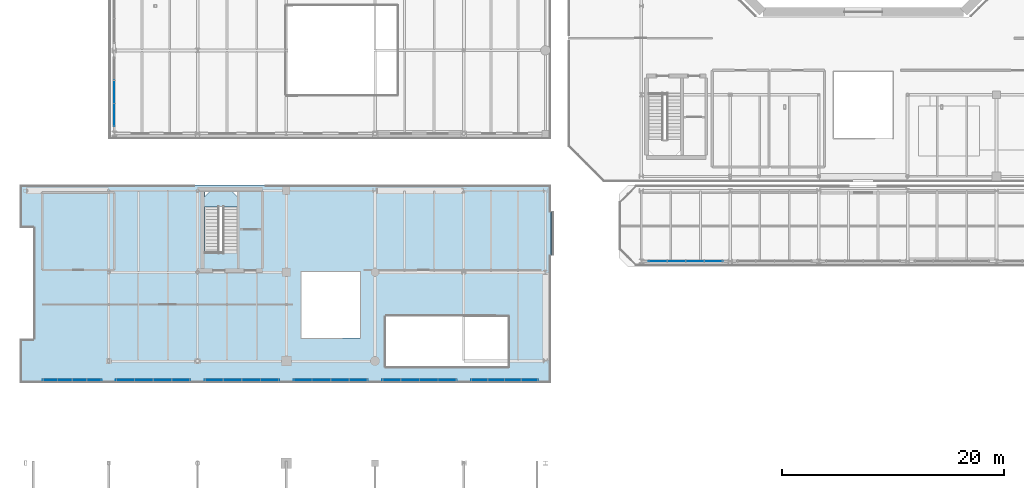
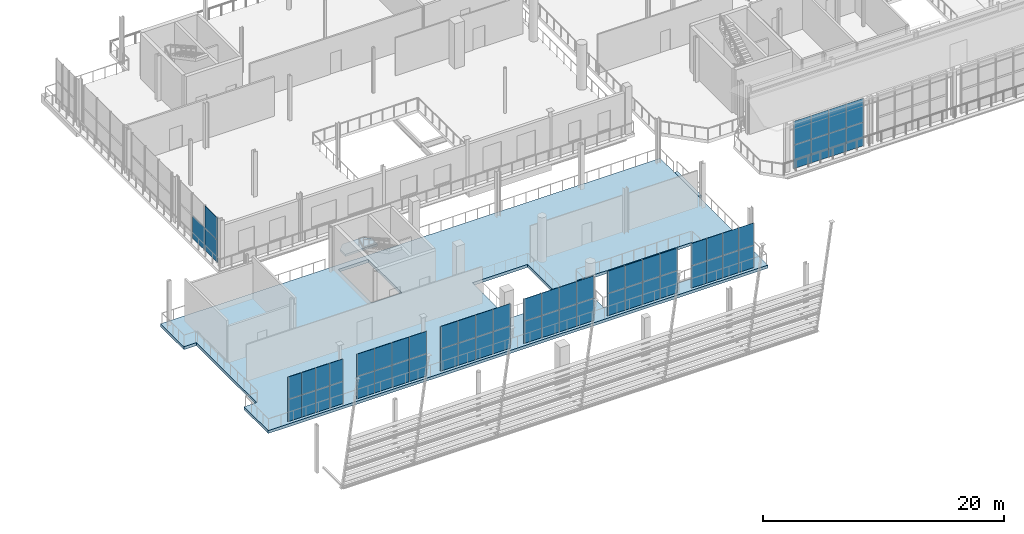
# One storey, part 60 of 93: 59 plates, 3 slabs, 9 elements without a shape of their own.
"""IFC4 building model written with IfcOpenShell, lengths in metres."""

from ifc_helpers import new_model, si_unit, direction, frame, origin, origin_2d, place, context, subcontext, project, spatial, polyline, rectangle, outline, extrude, material, layer, layer_set, type_object, element, aggregate, save


model = new_model("IFC4")

# Units and contexts
model_context = context("Model", 3, precision=1e-05, world=origin(), true_north=direction((0.0, 1.0)))
body_context = subcontext(model_context, "Body", "Model", "MODEL_VIEW")
ifc_project = project(units=[si_unit("LENGTHUNIT", "METRE"), si_unit("AREAUNIT", "SQUARE_METRE"), si_unit("VOLUMEUNIT", "CUBIC_METRE"), si_unit("PLANEANGLEUNIT", "RADIAN"), si_unit("MASSUNIT", "GRAM", prefix="KILO")], contexts=[model_context])

# Site, building, storey
site_placement = place(None, origin())
site = spatial("IfcSite", under=ifc_project, at=site_placement, CompositionType="ELEMENT")
building_placement = place(site_placement, origin())
building = spatial("IfcBuilding", under=site, at=building_placement, Name="Brisemont Oceanarium", CompositionType="ELEMENT")
storey_placement = place(building_placement, frame((0.0, 0.0, 5.39990234375)))
storey = spatial("IfcBuildingStorey", under=building, at=storey_placement, Name="L01", CompositionType="ELEMENT", Elevation=5.39990234375)

# Curtain wall, plates
ifc_material_1 = material(Name="Anodized Extruded Aluminum 6063-T6", Category="aluminium")
curtain_wall_type_1 = type_object("IfcCurtainWallType", Name="CW-GAL-61X43", PredefinedType="NOTDEFINED", material=ifc_material_1)
curtain_wall_1_placement = place(storey_placement, origin())
curtain_wall_1 = element("IfcCurtainWall", 1, at=curtain_wall_1_placement, inside=storey, type_object=curtain_wall_type_1, Name="CW-13 curtain wall CW-V5W-W-L01-01", PredefinedType="NOTDEFINED")
ifc_material_2 = material(Name="Ceramic-Fritted Spandrel Glass", Category="glass")
ifc_layer_1 = layer(ifc_material_2, 0.030029296875)
ifc_layer_set_1 = layer_set([ifc_layer_1], Name="Ceramic-Fritted Spandrel Glass")
plate_type_1 = type_object("IfcPlateType", Name="PLT-CWP-S3", PredefinedType="CURTAIN_PANEL", material=ifc_layer_set_1)
plate_1_placement = place(storey_placement, frame((16.5, 38.183349609375, 0.00146484375), z_axis=(0.0, 0.0, 1.0), x_axis=(0.0, 1.0, 0.0)))
plate_1 = element("IfcPlate", 2, at=plate_1_placement, type_object=plate_type_1, Name="CW-V5W-W-L01-01 panel 1.1", PredefinedType="CURTAIN_PANEL", context=body_context, shape_type="SweptSolid", body=[
    extrude(rectangle(XDim=2.063720703125, YDim=0.030029296875, at=origin_2d()), origin(), (0.0, 0.0, 1.0), 2.26708984375),
])
plate_2_placement = place(storey_placement, frame((16.5, 38.183349609375, 2.271484375), z_axis=(0.0, 0.0, 1.0), x_axis=(0.0, 1.0, 0.0)))
plate_2 = element("IfcPlate", 3, at=plate_2_placement, type_object=plate_type_1, Name="CW-V5W-W-L01-01 panel 1.2", PredefinedType="CURTAIN_PANEL", context=body_context, shape_type="SweptSolid", body=[
    extrude(rectangle(XDim=2.063720703125, YDim=0.030029296875, at=origin_2d()), origin(), (0.0, 0.0, 1.0), 2.26708984375),
])
plate_3_placement = place(storey_placement, frame((16.5, 40.25, 0.00146484375), z_axis=(0.0, 0.0, 1.0), x_axis=(0.0, 1.0, 0.0)))
plate_3 = element("IfcPlate", 4, at=plate_3_placement, type_object=plate_type_1, Name="CW-V5W-W-L01-01 panel 2.1", PredefinedType="CURTAIN_PANEL", context=body_context, shape_type="SweptSolid", body=[
    extrude(rectangle(XDim=2.063720703125, YDim=0.030029296875, at=origin_2d()), origin(), (0.0, 0.0, 1.0), 2.26708984375),
])
aggregate(curtain_wall_1, [plate_1, plate_2, plate_3])

ifc_material_3 = material(Name="Anodized Extruded Aluminum 6063-T6", Category="aluminium")
curtain_wall_type_2 = type_object("IfcCurtainWallType", Name="CW-ROT-69X44", PredefinedType="NOTDEFINED", material=ifc_material_3)
curtain_wall_2_placement = place(storey_placement, origin())
curtain_wall_2 = element("IfcCurtainWall", 5, at=curtain_wall_2_placement, inside=storey, type_object=curtain_wall_type_2, Name="CW-03 curtain wall CW-V1P-S-L01-01", PredefinedType="NOTDEFINED")
ifc_material_4 = material(Name="Insulated Low-E Laminated Glass", Category="glass")
ifc_layer_2 = layer(ifc_material_4, 0.028076171875)
ifc_layer_set_2 = layer_set([ifc_layer_2], Name="Insulated Low-E Laminated Glass")
plate_type_2 = type_object("IfcPlateType", Name="PLT-CWP-V3", PredefinedType="CURTAIN_PANEL", material=ifc_layer_set_2)
plate_4_placement = place(storey_placement, frame((65.487548828125, 25.0, 0.001708984375), z_axis=(0.0, 0.0, 1.0), x_axis=(1.0, 0.0, 0.0)))
plate_4 = element("IfcPlate", 6, at=plate_4_placement, type_object=plate_type_2, Name="CW-V1P-S-L01-01 panel 1.1", PredefinedType="CURTAIN_PANEL", context=body_context, shape_type="SweptSolid", body=[
    extrude(rectangle(XDim=1.672119140625, YDim=0.028076171875, at=origin_2d()), origin(), (0.0, 0.0, 1.0), 2.39697265625),
])
plate_5_placement = place(storey_placement, frame((65.487548828125, 25.0, 2.401611328125), z_axis=(0.0, 0.0, 1.0), x_axis=(1.0, 0.0, 0.0)))
plate_5 = element("IfcPlate", 7, at=plate_5_placement, type_object=plate_type_2, Name="CW-V1P-S-L01-01 panel 1.2", PredefinedType="CURTAIN_PANEL", context=body_context, shape_type="SweptSolid", body=[
    extrude(rectangle(XDim=1.672119140625, YDim=0.028076171875, at=origin_2d()), origin(), (0.0, 0.0, 1.0), 2.39697265625),
])
plate_6_placement = place(storey_placement, frame((67.16259765625, 25.0, 0.001708984375), z_axis=(0.0, 0.0, 1.0), x_axis=(1.0, 0.0, 0.0)))
plate_6 = element("IfcPlate", 8, at=plate_6_placement, type_object=plate_type_2, Name="CW-V1P-S-L01-01 panel 2.1", PredefinedType="CURTAIN_PANEL", context=body_context, shape_type="SweptSolid", body=[
    extrude(rectangle(XDim=1.672119140625, YDim=0.028076171875, at=origin_2d()), origin(), (0.0, 0.0, 1.0), 2.39697265625),
])
plate_7_placement = place(storey_placement, frame((67.16259765625, 25.0, 2.401611328125), z_axis=(0.0, 0.0, 1.0), x_axis=(1.0, 0.0, 0.0)))
plate_7 = element("IfcPlate", 9, at=plate_7_placement, type_object=plate_type_2, Name="CW-V1P-S-L01-01 panel 2.2", PredefinedType="CURTAIN_PANEL", context=body_context, shape_type="SweptSolid", body=[
    extrude(rectangle(XDim=1.672119140625, YDim=0.028076171875, at=origin_2d()), origin(), (0.0, 0.0, 1.0), 2.39697265625),
])
plate_8_placement = place(storey_placement, frame((68.83740234375, 25.0, 0.001708984375), z_axis=(0.0, 0.0, 1.0), x_axis=(1.0, 0.0, 0.0)))
plate_8 = element("IfcPlate", 10, at=plate_8_placement, type_object=plate_type_2, Name="CW-V1P-S-L01-01 panel 3.1", PredefinedType="CURTAIN_PANEL", context=body_context, shape_type="SweptSolid", body=[
    extrude(rectangle(XDim=1.672119140625, YDim=0.028076171875, at=origin_2d()), origin(), (0.0, 0.0, 1.0), 2.39697265625),
])
plate_9_placement = place(storey_placement, frame((68.83740234375, 25.0, 2.401611328125), z_axis=(0.0, 0.0, 1.0), x_axis=(1.0, 0.0, 0.0)))
plate_9 = element("IfcPlate", 11, at=plate_9_placement, type_object=plate_type_2, Name="CW-V1P-S-L01-01 panel 3.2", PredefinedType="CURTAIN_PANEL", context=body_context, shape_type="SweptSolid", body=[
    extrude(rectangle(XDim=1.672119140625, YDim=0.028076171875, at=origin_2d()), origin(), (0.0, 0.0, 1.0), 2.39697265625),
])
plate_10_placement = place(storey_placement, frame((70.512451171875, 25.0, 0.001708984375), z_axis=(0.0, 0.0, 1.0), x_axis=(1.0, 0.0, 0.0)))
plate_10 = element("IfcPlate", 12, at=plate_10_placement, type_object=plate_type_2, Name="CW-V1P-S-L01-01 panel 4.1", PredefinedType="CURTAIN_PANEL", context=body_context, shape_type="SweptSolid", body=[
    extrude(rectangle(XDim=1.672119140625, YDim=0.028076171875, at=origin_2d()), origin(), (0.0, 0.0, 1.0), 2.39697265625),
])
plate_11_placement = place(storey_placement, frame((70.512451171875, 25.0, 2.401611328125), z_axis=(0.0, 0.0, 1.0), x_axis=(1.0, 0.0, 0.0)))
plate_11 = element("IfcPlate", 13, at=plate_11_placement, type_object=plate_type_2, Name="CW-V1P-S-L01-01 panel 4.2", PredefinedType="CURTAIN_PANEL", context=body_context, shape_type="SweptSolid", body=[
    extrude(rectangle(XDim=1.672119140625, YDim=0.028076171875, at=origin_2d()), origin(), (0.0, 0.0, 1.0), 2.39697265625),
])
aggregate(curtain_wall_2, [plate_4, plate_5, plate_6, plate_7, plate_8, plate_9, plate_10, plate_11])

ifc_material_5 = material(Name="Anodized Extruded Aluminum 6063-T6", Category="aluminium")
curtain_wall_type_3 = type_object("IfcCurtainWallType", Name="CW-HALL-63X50", PredefinedType="NOTDEFINED", material=ifc_material_5)
curtain_wall_3_placement = place(storey_placement, origin())
curtain_wall_3 = element("IfcCurtainWall", 14, at=curtain_wall_3_placement, inside=storey, type_object=curtain_wall_type_3, Name="CW-05 curtain wall CW-V2-S-L01-01", PredefinedType="NOTDEFINED")
ifc_material_6 = material(Name="Insulated Low-E Laminated Glass", Category="glass")
ifc_layer_3 = layer(ifc_material_6, 0.030029296875)
ifc_layer_set_3 = layer_set([ifc_layer_3], Name="Insulated Low-E Laminated Glass")
plate_type_3 = type_object("IfcPlateType", Name="PLT-CWP-V5", PredefinedType="CURTAIN_PANEL", material=ifc_layer_set_3)
plate_12_placement = place(storey_placement, frame((10.71240234375, 14.300048828125, 0.00146484375), z_axis=(0.0, 0.0, 1.0), x_axis=(1.0, 0.0, 0.0)))
plate_12 = element("IfcPlate", 15, at=plate_12_placement, type_object=plate_type_3, Name="CW-V2-S-L01-01 panel 1.1", PredefinedType="CURTAIN_PANEL", context=body_context, shape_type="SweptSolid", body=[
    extrude(rectangle(XDim=1.322021484375, YDim=0.030029296875, at=origin_2d()), origin(), (0.0, 0.0, 1.0), 2.257080078125),
])
plate_13_placement = place(storey_placement, frame((10.71240234375, 14.300048828125, 2.26171875), z_axis=(0.0, 0.0, 1.0), x_axis=(1.0, 0.0, 0.0)))
plate_13 = element("IfcPlate", 16, at=plate_13_placement, type_object=plate_type_3, Name="CW-V2-S-L01-01 panel 1.2", PredefinedType="CURTAIN_PANEL", context=body_context, shape_type="SweptSolid", body=[
    extrude(rectangle(XDim=1.322021484375, YDim=0.030029296875, at=origin_2d()), origin(), (0.0, 0.0, 1.0), 2.257080078125),
])
plate_14_placement = place(storey_placement, frame((12.03759765625, 14.300048828125, 0.00146484375), z_axis=(0.0, 0.0, 1.0), x_axis=(1.0, 0.0, 0.0)))
plate_14 = element("IfcPlate", 17, at=plate_14_placement, type_object=plate_type_3, Name="CW-V2-S-L01-01 panel 2.1", PredefinedType="CURTAIN_PANEL", context=body_context, shape_type="SweptSolid", body=[
    extrude(rectangle(XDim=1.322021484375, YDim=0.030029296875, at=origin_2d()), origin(), (0.0, 0.0, 1.0), 2.257080078125),
])
plate_15_placement = place(storey_placement, frame((12.03759765625, 14.300048828125, 2.26171875), z_axis=(0.0, 0.0, 1.0), x_axis=(1.0, 0.0, 0.0)))
plate_15 = element("IfcPlate", 18, at=plate_15_placement, type_object=plate_type_3, Name="CW-V2-S-L01-01 panel 2.2", PredefinedType="CURTAIN_PANEL", context=body_context, shape_type="SweptSolid", body=[
    extrude(rectangle(XDim=1.322021484375, YDim=0.030029296875, at=origin_2d()), origin(), (0.0, 0.0, 1.0), 2.257080078125),
])
plate_16_placement = place(storey_placement, frame((13.362548828125, 14.300048828125, 0.00146484375), z_axis=(0.0, 0.0, 1.0), x_axis=(1.0, 0.0, 0.0)))
plate_16 = element("IfcPlate", 19, at=plate_16_placement, type_object=plate_type_3, Name="CW-V2-S-L01-01 panel 3.1", PredefinedType="CURTAIN_PANEL", context=body_context, shape_type="SweptSolid", body=[
    extrude(rectangle(XDim=1.322021484375, YDim=0.030029296875, at=origin_2d()), origin(), (0.0, 0.0, 1.0), 2.257080078125),
])
plate_17_placement = place(storey_placement, frame((13.362548828125, 14.300048828125, 2.26171875), z_axis=(0.0, 0.0, 1.0), x_axis=(1.0, 0.0, 0.0)))
plate_17 = element("IfcPlate", 20, at=plate_17_placement, type_object=plate_type_3, Name="CW-V2-S-L01-01 panel 3.2", PredefinedType="CURTAIN_PANEL", context=body_context, shape_type="SweptSolid", body=[
    extrude(rectangle(XDim=1.322021484375, YDim=0.030029296875, at=origin_2d()), origin(), (0.0, 0.0, 1.0), 2.257080078125),
])
plate_18_placement = place(storey_placement, frame((14.6875, 14.300048828125, 0.00146484375), z_axis=(0.0, 0.0, 1.0), x_axis=(1.0, 0.0, 0.0)))
plate_18 = element("IfcPlate", 21, at=plate_18_placement, type_object=plate_type_3, Name="CW-V2-S-L01-01 panel 4.1", PredefinedType="CURTAIN_PANEL", context=body_context, shape_type="SweptSolid", body=[
    extrude(rectangle(XDim=1.322021484375, YDim=0.030029296875, at=origin_2d()), origin(), (0.0, 0.0, 1.0), 2.257080078125),
])
plate_19_placement = place(storey_placement, frame((14.6875, 14.300048828125, 2.26171875), z_axis=(0.0, 0.0, 1.0), x_axis=(1.0, 0.0, 0.0)))
plate_19 = element("IfcPlate", 22, at=plate_19_placement, type_object=plate_type_3, Name="CW-V2-S-L01-01 panel 4.2", PredefinedType="CURTAIN_PANEL", context=body_context, shape_type="SweptSolid", body=[
    extrude(rectangle(XDim=1.322021484375, YDim=0.030029296875, at=origin_2d()), origin(), (0.0, 0.0, 1.0), 2.257080078125),
])
aggregate(curtain_wall_3, [plate_12, plate_13, plate_14, plate_15, plate_16, plate_17, plate_18, plate_19])

curtain_wall_4_placement = place(storey_placement, origin())
curtain_wall_4 = element("IfcCurtainWall", 23, at=curtain_wall_4_placement, inside=storey, type_object=curtain_wall_type_3, Name="CW-05 curtain wall CW-V2-S-L01-02", PredefinedType="NOTDEFINED")
plate_20_placement = place(storey_placement, frame((17.487548828125, 14.300048828125, 0.00146484375), z_axis=(0.0, 0.0, 1.0), x_axis=(1.0, 0.0, 0.0)))
plate_20 = element("IfcPlate", 24, at=plate_20_placement, type_object=plate_type_3, Name="CW-V2-S-L01-02 panel 1.1", PredefinedType="CURTAIN_PANEL", context=body_context, shape_type="SweptSolid", body=[
    extrude(rectangle(XDim=1.672119140625, YDim=0.030029296875, at=origin_2d()), origin(), (0.0, 0.0, 1.0), 2.257080078125),
])
plate_21_placement = place(storey_placement, frame((17.487548828125, 14.300048828125, 2.26171875), z_axis=(0.0, 0.0, 1.0), x_axis=(1.0, 0.0, 0.0)))
plate_21 = element("IfcPlate", 25, at=plate_21_placement, type_object=plate_type_3, Name="CW-V2-S-L01-02 panel 1.2", PredefinedType="CURTAIN_PANEL", context=body_context, shape_type="SweptSolid", body=[
    extrude(rectangle(XDim=1.672119140625, YDim=0.030029296875, at=origin_2d()), origin(), (0.0, 0.0, 1.0), 2.257080078125),
])
plate_22_placement = place(storey_placement, frame((19.16259765625, 14.300048828125, 0.00146484375), z_axis=(0.0, 0.0, 1.0), x_axis=(1.0, 0.0, 0.0)))
plate_22 = element("IfcPlate", 26, at=plate_22_placement, type_object=plate_type_3, Name="CW-V2-S-L01-02 panel 2.1", PredefinedType="CURTAIN_PANEL", context=body_context, shape_type="SweptSolid", body=[
    extrude(rectangle(XDim=1.672119140625, YDim=0.030029296875, at=origin_2d()), origin(), (0.0, 0.0, 1.0), 2.257080078125),
])
plate_23_placement = place(storey_placement, frame((19.16259765625, 14.300048828125, 2.26171875), z_axis=(0.0, 0.0, 1.0), x_axis=(1.0, 0.0, 0.0)))
plate_23 = element("IfcPlate", 27, at=plate_23_placement, type_object=plate_type_3, Name="CW-V2-S-L01-02 panel 2.2", PredefinedType="CURTAIN_PANEL", context=body_context, shape_type="SweptSolid", body=[
    extrude(rectangle(XDim=1.672119140625, YDim=0.030029296875, at=origin_2d()), origin(), (0.0, 0.0, 1.0), 2.257080078125),
])
plate_24_placement = place(storey_placement, frame((20.83740234375, 14.300048828125, 0.00146484375), z_axis=(0.0, 0.0, 1.0), x_axis=(1.0, 0.0, 0.0)))
plate_24 = element("IfcPlate", 28, at=plate_24_placement, type_object=plate_type_3, Name="CW-V2-S-L01-02 panel 3.1", PredefinedType="CURTAIN_PANEL", context=body_context, shape_type="SweptSolid", body=[
    extrude(rectangle(XDim=1.672119140625, YDim=0.030029296875, at=origin_2d()), origin(), (0.0, 0.0, 1.0), 2.257080078125),
])
plate_25_placement = place(storey_placement, frame((20.83740234375, 14.300048828125, 2.26171875), z_axis=(0.0, 0.0, 1.0), x_axis=(1.0, 0.0, 0.0)))
plate_25 = element("IfcPlate", 29, at=plate_25_placement, type_object=plate_type_3, Name="CW-V2-S-L01-02 panel 3.2", PredefinedType="CURTAIN_PANEL", context=body_context, shape_type="SweptSolid", body=[
    extrude(rectangle(XDim=1.672119140625, YDim=0.030029296875, at=origin_2d()), origin(), (0.0, 0.0, 1.0), 2.257080078125),
])
plate_26_placement = place(storey_placement, frame((22.512451171875, 14.300048828125, 0.00146484375), z_axis=(0.0, 0.0, 1.0), x_axis=(1.0, 0.0, 0.0)))
plate_26 = element("IfcPlate", 30, at=plate_26_placement, type_object=plate_type_3, Name="CW-V2-S-L01-02 panel 4.1", PredefinedType="CURTAIN_PANEL", context=body_context, shape_type="SweptSolid", body=[
    extrude(rectangle(XDim=1.672119140625, YDim=0.030029296875, at=origin_2d()), origin(), (0.0, 0.0, 1.0), 2.257080078125),
])
plate_27_placement = place(storey_placement, frame((22.512451171875, 14.300048828125, 2.26171875), z_axis=(0.0, 0.0, 1.0), x_axis=(1.0, 0.0, 0.0)))
plate_27 = element("IfcPlate", 31, at=plate_27_placement, type_object=plate_type_3, Name="CW-V2-S-L01-02 panel 4.2", PredefinedType="CURTAIN_PANEL", context=body_context, shape_type="SweptSolid", body=[
    extrude(rectangle(XDim=1.672119140625, YDim=0.030029296875, at=origin_2d()), origin(), (0.0, 0.0, 1.0), 2.257080078125),
])
aggregate(curtain_wall_4, [plate_20, plate_21, plate_22, plate_23, plate_24, plate_25, plate_26, plate_27])

curtain_wall_5_placement = place(storey_placement, origin())
curtain_wall_5 = element("IfcCurtainWall", 32, at=curtain_wall_5_placement, inside=storey, type_object=curtain_wall_type_3, Name="CW-05 curtain wall CW-V2-S-L01-03", PredefinedType="NOTDEFINED")
plate_28_placement = place(storey_placement, frame((25.487548828125, 14.300048828125, 0.00146484375), z_axis=(0.0, 0.0, 1.0), x_axis=(1.0, 0.0, 0.0)))
plate_28 = element("IfcPlate", 33, at=plate_28_placement, type_object=plate_type_3, Name="CW-V2-S-L01-03 panel 1.1", PredefinedType="CURTAIN_PANEL", context=body_context, shape_type="SweptSolid", body=[
    extrude(rectangle(XDim=1.672119140625, YDim=0.030029296875, at=origin_2d()), origin(), (0.0, 0.0, 1.0), 2.257080078125),
])
plate_29_placement = place(storey_placement, frame((25.487548828125, 14.300048828125, 2.26171875), z_axis=(0.0, 0.0, 1.0), x_axis=(1.0, 0.0, 0.0)))
plate_29 = element("IfcPlate", 34, at=plate_29_placement, type_object=plate_type_3, Name="CW-V2-S-L01-03 panel 1.2", PredefinedType="CURTAIN_PANEL", context=body_context, shape_type="SweptSolid", body=[
    extrude(rectangle(XDim=1.672119140625, YDim=0.030029296875, at=origin_2d()), origin(), (0.0, 0.0, 1.0), 2.257080078125),
])
plate_30_placement = place(storey_placement, frame((27.16259765625, 14.300048828125, 0.00146484375), z_axis=(0.0, 0.0, 1.0), x_axis=(1.0, 0.0, 0.0)))
plate_30 = element("IfcPlate", 35, at=plate_30_placement, type_object=plate_type_3, Name="CW-V2-S-L01-03 panel 2.1", PredefinedType="CURTAIN_PANEL", context=body_context, shape_type="SweptSolid", body=[
    extrude(rectangle(XDim=1.672119140625, YDim=0.030029296875, at=origin_2d()), origin(), (0.0, 0.0, 1.0), 2.257080078125),
])
plate_31_placement = place(storey_placement, frame((27.16259765625, 14.300048828125, 2.26171875), z_axis=(0.0, 0.0, 1.0), x_axis=(1.0, 0.0, 0.0)))
plate_31 = element("IfcPlate", 36, at=plate_31_placement, type_object=plate_type_3, Name="CW-V2-S-L01-03 panel 2.2", PredefinedType="CURTAIN_PANEL", context=body_context, shape_type="SweptSolid", body=[
    extrude(rectangle(XDim=1.672119140625, YDim=0.030029296875, at=origin_2d()), origin(), (0.0, 0.0, 1.0), 2.257080078125),
])
plate_32_placement = place(storey_placement, frame((28.83740234375, 14.300048828125, 0.00146484375), z_axis=(0.0, 0.0, 1.0), x_axis=(1.0, 0.0, 0.0)))
plate_32 = element("IfcPlate", 37, at=plate_32_placement, type_object=plate_type_3, Name="CW-V2-S-L01-03 panel 3.1", PredefinedType="CURTAIN_PANEL", context=body_context, shape_type="SweptSolid", body=[
    extrude(rectangle(XDim=1.672119140625, YDim=0.030029296875, at=origin_2d()), origin(), (0.0, 0.0, 1.0), 2.257080078125),
])
plate_33_placement = place(storey_placement, frame((28.83740234375, 14.300048828125, 2.26171875), z_axis=(0.0, 0.0, 1.0), x_axis=(1.0, 0.0, 0.0)))
plate_33 = element("IfcPlate", 38, at=plate_33_placement, type_object=plate_type_3, Name="CW-V2-S-L01-03 panel 3.2", PredefinedType="CURTAIN_PANEL", context=body_context, shape_type="SweptSolid", body=[
    extrude(rectangle(XDim=1.672119140625, YDim=0.030029296875, at=origin_2d()), origin(), (0.0, 0.0, 1.0), 2.257080078125),
])
plate_34_placement = place(storey_placement, frame((30.512451171875, 14.300048828125, 0.00146484375), z_axis=(0.0, 0.0, 1.0), x_axis=(1.0, 0.0, 0.0)))
plate_34 = element("IfcPlate", 39, at=plate_34_placement, type_object=plate_type_3, Name="CW-V2-S-L01-03 panel 4.1", PredefinedType="CURTAIN_PANEL", context=body_context, shape_type="SweptSolid", body=[
    extrude(rectangle(XDim=1.672119140625, YDim=0.030029296875, at=origin_2d()), origin(), (0.0, 0.0, 1.0), 2.257080078125),
])
plate_35_placement = place(storey_placement, frame((30.512451171875, 14.300048828125, 2.26171875), z_axis=(0.0, 0.0, 1.0), x_axis=(1.0, 0.0, 0.0)))
plate_35 = element("IfcPlate", 40, at=plate_35_placement, type_object=plate_type_3, Name="CW-V2-S-L01-03 panel 4.2", PredefinedType="CURTAIN_PANEL", context=body_context, shape_type="SweptSolid", body=[
    extrude(rectangle(XDim=1.672119140625, YDim=0.030029296875, at=origin_2d()), origin(), (0.0, 0.0, 1.0), 2.257080078125),
])
aggregate(curtain_wall_5, [plate_28, plate_29, plate_30, plate_31, plate_32, plate_33, plate_34, plate_35])

curtain_wall_6_placement = place(storey_placement, origin())
curtain_wall_6 = element("IfcCurtainWall", 41, at=curtain_wall_6_placement, inside=storey, type_object=curtain_wall_type_3, Name="CW-05 curtain wall CW-V2-S-L01-04", PredefinedType="NOTDEFINED")
plate_36_placement = place(storey_placement, frame((33.487548828125, 14.300048828125, 0.00146484375), z_axis=(0.0, 0.0, 1.0), x_axis=(1.0, 0.0, 0.0)))
plate_36 = element("IfcPlate", 42, at=plate_36_placement, type_object=plate_type_3, Name="CW-V2-S-L01-04 panel 1.1", PredefinedType="CURTAIN_PANEL", context=body_context, shape_type="SweptSolid", body=[
    extrude(rectangle(XDim=1.672119140625, YDim=0.030029296875, at=origin_2d()), origin(), (0.0, 0.0, 1.0), 2.257080078125),
])
plate_37_placement = place(storey_placement, frame((33.487548828125, 14.300048828125, 2.26171875), z_axis=(0.0, 0.0, 1.0), x_axis=(1.0, 0.0, 0.0)))
plate_37 = element("IfcPlate", 43, at=plate_37_placement, type_object=plate_type_3, Name="CW-V2-S-L01-04 panel 1.2", PredefinedType="CURTAIN_PANEL", context=body_context, shape_type="SweptSolid", body=[
    extrude(rectangle(XDim=1.672119140625, YDim=0.030029296875, at=origin_2d()), origin(), (0.0, 0.0, 1.0), 2.257080078125),
])
plate_38_placement = place(storey_placement, frame((35.16259765625, 14.300048828125, 0.00146484375), z_axis=(0.0, 0.0, 1.0), x_axis=(1.0, 0.0, 0.0)))
plate_38 = element("IfcPlate", 44, at=plate_38_placement, type_object=plate_type_3, Name="CW-V2-S-L01-04 panel 2.1", PredefinedType="CURTAIN_PANEL", context=body_context, shape_type="SweptSolid", body=[
    extrude(rectangle(XDim=1.672119140625, YDim=0.030029296875, at=origin_2d()), origin(), (0.0, 0.0, 1.0), 2.257080078125),
])
plate_39_placement = place(storey_placement, frame((35.16259765625, 14.300048828125, 2.26171875), z_axis=(0.0, 0.0, 1.0), x_axis=(1.0, 0.0, 0.0)))
plate_39 = element("IfcPlate", 45, at=plate_39_placement, type_object=plate_type_3, Name="CW-V2-S-L01-04 panel 2.2", PredefinedType="CURTAIN_PANEL", context=body_context, shape_type="SweptSolid", body=[
    extrude(rectangle(XDim=1.672119140625, YDim=0.030029296875, at=origin_2d()), origin(), (0.0, 0.0, 1.0), 2.257080078125),
])
plate_40_placement = place(storey_placement, frame((36.83740234375, 14.300048828125, 0.00146484375), z_axis=(0.0, 0.0, 1.0), x_axis=(1.0, 0.0, 0.0)))
plate_40 = element("IfcPlate", 46, at=plate_40_placement, type_object=plate_type_3, Name="CW-V2-S-L01-04 panel 3.1", PredefinedType="CURTAIN_PANEL", context=body_context, shape_type="SweptSolid", body=[
    extrude(rectangle(XDim=1.672119140625, YDim=0.030029296875, at=origin_2d()), origin(), (0.0, 0.0, 1.0), 2.257080078125),
])
plate_41_placement = place(storey_placement, frame((36.83740234375, 14.300048828125, 2.26171875), z_axis=(0.0, 0.0, 1.0), x_axis=(1.0, 0.0, 0.0)))
plate_41 = element("IfcPlate", 47, at=plate_41_placement, type_object=plate_type_3, Name="CW-V2-S-L01-04 panel 3.2", PredefinedType="CURTAIN_PANEL", context=body_context, shape_type="SweptSolid", body=[
    extrude(rectangle(XDim=1.672119140625, YDim=0.030029296875, at=origin_2d()), origin(), (0.0, 0.0, 1.0), 2.257080078125),
])
plate_42_placement = place(storey_placement, frame((38.512451171875, 14.300048828125, 0.00146484375), z_axis=(0.0, 0.0, 1.0), x_axis=(1.0, 0.0, 0.0)))
plate_42 = element("IfcPlate", 48, at=plate_42_placement, type_object=plate_type_3, Name="CW-V2-S-L01-04 panel 4.1", PredefinedType="CURTAIN_PANEL", context=body_context, shape_type="SweptSolid", body=[
    extrude(rectangle(XDim=1.672119140625, YDim=0.030029296875, at=origin_2d()), origin(), (0.0, 0.0, 1.0), 2.257080078125),
])
plate_43_placement = place(storey_placement, frame((38.512451171875, 14.300048828125, 2.26171875), z_axis=(0.0, 0.0, 1.0), x_axis=(1.0, 0.0, 0.0)))
plate_43 = element("IfcPlate", 49, at=plate_43_placement, type_object=plate_type_3, Name="CW-V2-S-L01-04 panel 4.2", PredefinedType="CURTAIN_PANEL", context=body_context, shape_type="SweptSolid", body=[
    extrude(rectangle(XDim=1.672119140625, YDim=0.030029296875, at=origin_2d()), origin(), (0.0, 0.0, 1.0), 2.257080078125),
])
aggregate(curtain_wall_6, [plate_36, plate_37, plate_38, plate_39, plate_40, plate_41, plate_42, plate_43])

curtain_wall_7_placement = place(storey_placement, origin())
curtain_wall_7 = element("IfcCurtainWall", 50, at=curtain_wall_7_placement, inside=storey, type_object=curtain_wall_type_3, Name="CW-05 curtain wall CW-V2-S-L01-05", PredefinedType="NOTDEFINED")
plate_44_placement = place(storey_placement, frame((41.487548828125, 14.300048828125, 0.00146484375), z_axis=(0.0, 0.0, 1.0), x_axis=(1.0, 0.0, 0.0)))
plate_44 = element("IfcPlate", 51, at=plate_44_placement, type_object=plate_type_3, Name="CW-V2-S-L01-05 panel 1.1", PredefinedType="CURTAIN_PANEL", context=body_context, shape_type="SweptSolid", body=[
    extrude(rectangle(XDim=1.672119140625, YDim=0.030029296875, at=origin_2d()), origin(), (0.0, 0.0, 1.0), 2.257080078125),
])
plate_45_placement = place(storey_placement, frame((41.487548828125, 14.300048828125, 2.26171875), z_axis=(0.0, 0.0, 1.0), x_axis=(1.0, 0.0, 0.0)))
plate_45 = element("IfcPlate", 52, at=plate_45_placement, type_object=plate_type_3, Name="CW-V2-S-L01-05 panel 1.2", PredefinedType="CURTAIN_PANEL", context=body_context, shape_type="SweptSolid", body=[
    extrude(rectangle(XDim=1.672119140625, YDim=0.030029296875, at=origin_2d()), origin(), (0.0, 0.0, 1.0), 2.257080078125),
])
plate_46_placement = place(storey_placement, frame((43.16259765625, 14.300048828125, 0.00146484375), z_axis=(0.0, 0.0, 1.0), x_axis=(1.0, 0.0, 0.0)))
plate_46 = element("IfcPlate", 53, at=plate_46_placement, type_object=plate_type_3, Name="CW-V2-S-L01-05 panel 2.1", PredefinedType="CURTAIN_PANEL", context=body_context, shape_type="SweptSolid", body=[
    extrude(rectangle(XDim=1.672119140625, YDim=0.030029296875, at=origin_2d()), origin(), (0.0, 0.0, 1.0), 2.257080078125),
])
plate_47_placement = place(storey_placement, frame((43.16259765625, 14.300048828125, 2.26171875), z_axis=(0.0, 0.0, 1.0), x_axis=(1.0, 0.0, 0.0)))
plate_47 = element("IfcPlate", 54, at=plate_47_placement, type_object=plate_type_3, Name="CW-V2-S-L01-05 panel 2.2", PredefinedType="CURTAIN_PANEL", context=body_context, shape_type="SweptSolid", body=[
    extrude(rectangle(XDim=1.672119140625, YDim=0.030029296875, at=origin_2d()), origin(), (0.0, 0.0, 1.0), 2.257080078125),
])
plate_48_placement = place(storey_placement, frame((44.83740234375, 14.300048828125, 0.00146484375), z_axis=(0.0, 0.0, 1.0), x_axis=(1.0, 0.0, 0.0)))
plate_48 = element("IfcPlate", 55, at=plate_48_placement, type_object=plate_type_3, Name="CW-V2-S-L01-05 panel 3.1", PredefinedType="CURTAIN_PANEL", context=body_context, shape_type="SweptSolid", body=[
    extrude(rectangle(XDim=1.672119140625, YDim=0.030029296875, at=origin_2d()), origin(), (0.0, 0.0, 1.0), 2.257080078125),
])
plate_49_placement = place(storey_placement, frame((44.83740234375, 14.300048828125, 2.26171875), z_axis=(0.0, 0.0, 1.0), x_axis=(1.0, 0.0, 0.0)))
plate_49 = element("IfcPlate", 56, at=plate_49_placement, type_object=plate_type_3, Name="CW-V2-S-L01-05 panel 3.2", PredefinedType="CURTAIN_PANEL", context=body_context, shape_type="SweptSolid", body=[
    extrude(rectangle(XDim=1.672119140625, YDim=0.030029296875, at=origin_2d()), origin(), (0.0, 0.0, 1.0), 2.257080078125),
])
plate_50_placement = place(storey_placement, frame((46.512451171875, 14.300048828125, 0.00146484375), z_axis=(0.0, 0.0, 1.0), x_axis=(1.0, 0.0, 0.0)))
plate_50 = element("IfcPlate", 57, at=plate_50_placement, type_object=plate_type_3, Name="CW-V2-S-L01-05 panel 4.1", PredefinedType="CURTAIN_PANEL", context=body_context, shape_type="SweptSolid", body=[
    extrude(rectangle(XDim=1.672119140625, YDim=0.030029296875, at=origin_2d()), origin(), (0.0, 0.0, 1.0), 2.257080078125),
])
plate_51_placement = place(storey_placement, frame((46.512451171875, 14.300048828125, 2.26171875), z_axis=(0.0, 0.0, 1.0), x_axis=(1.0, 0.0, 0.0)))
plate_51 = element("IfcPlate", 58, at=plate_51_placement, type_object=plate_type_3, Name="CW-V2-S-L01-05 panel 4.2", PredefinedType="CURTAIN_PANEL", context=body_context, shape_type="SweptSolid", body=[
    extrude(rectangle(XDim=1.672119140625, YDim=0.030029296875, at=origin_2d()), origin(), (0.0, 0.0, 1.0), 2.257080078125),
])
aggregate(curtain_wall_7, [plate_44, plate_45, plate_46, plate_47, plate_48, plate_49, plate_50, plate_51])

curtain_wall_8_placement = place(storey_placement, origin())
curtain_wall_8 = element("IfcCurtainWall", 59, at=curtain_wall_8_placement, inside=storey, type_object=curtain_wall_type_3, Name="CW-05 curtain wall CW-V2-S-L01-06", PredefinedType="NOTDEFINED")
plate_52_placement = place(storey_placement, frame((49.40625, 14.300048828125, 0.00146484375), z_axis=(0.0, 0.0, 1.0), x_axis=(1.0, 0.0, 0.0)))
plate_52 = element("IfcPlate", 60, at=plate_52_placement, type_object=plate_type_3, Name="CW-V2-S-L01-06 panel 1.1", PredefinedType="CURTAIN_PANEL", context=body_context, shape_type="SweptSolid", body=[
    extrude(rectangle(XDim=1.509521484375, YDim=0.030029296875, at=origin_2d()), origin(), (0.0, 0.0, 1.0), 2.257080078125),
])
plate_53_placement = place(storey_placement, frame((49.40625, 14.300048828125, 2.26171875), z_axis=(0.0, 0.0, 1.0), x_axis=(1.0, 0.0, 0.0)))
plate_53 = element("IfcPlate", 61, at=plate_53_placement, type_object=plate_type_3, Name="CW-V2-S-L01-06 panel 1.2", PredefinedType="CURTAIN_PANEL", context=body_context, shape_type="SweptSolid", body=[
    extrude(rectangle(XDim=1.509521484375, YDim=0.030029296875, at=origin_2d()), origin(), (0.0, 0.0, 1.0), 2.257080078125),
])
plate_54_placement = place(storey_placement, frame((50.918701171875, 14.300048828125, 0.00146484375), z_axis=(0.0, 0.0, 1.0), x_axis=(1.0, 0.0, 0.0)))
plate_54 = element("IfcPlate", 62, at=plate_54_placement, type_object=plate_type_3, Name="CW-V2-S-L01-06 panel 2.1", PredefinedType="CURTAIN_PANEL", context=body_context, shape_type="SweptSolid", body=[
    extrude(rectangle(XDim=1.509521484375, YDim=0.030029296875, at=origin_2d()), origin(), (0.0, 0.0, 1.0), 2.257080078125),
])
plate_55_placement = place(storey_placement, frame((50.918701171875, 14.300048828125, 2.26171875), z_axis=(0.0, 0.0, 1.0), x_axis=(1.0, 0.0, 0.0)))
plate_55 = element("IfcPlate", 63, at=plate_55_placement, type_object=plate_type_3, Name="CW-V2-S-L01-06 panel 2.2", PredefinedType="CURTAIN_PANEL", context=body_context, shape_type="SweptSolid", body=[
    extrude(rectangle(XDim=1.509521484375, YDim=0.030029296875, at=origin_2d()), origin(), (0.0, 0.0, 1.0), 2.257080078125),
])
plate_56_placement = place(storey_placement, frame((52.43115234375, 14.300048828125, 0.00146484375), z_axis=(0.0, 0.0, 1.0), x_axis=(1.0, 0.0, 0.0)))
plate_56 = element("IfcPlate", 64, at=plate_56_placement, type_object=plate_type_3, Name="CW-V2-S-L01-06 panel 3.1", PredefinedType="CURTAIN_PANEL", context=body_context, shape_type="SweptSolid", body=[
    extrude(rectangle(XDim=1.509521484375, YDim=0.030029296875, at=origin_2d()), origin(), (0.0, 0.0, 1.0), 2.257080078125),
])
plate_57_placement = place(storey_placement, frame((52.43115234375, 14.300048828125, 2.26171875), z_axis=(0.0, 0.0, 1.0), x_axis=(1.0, 0.0, 0.0)))
plate_57 = element("IfcPlate", 65, at=plate_57_placement, type_object=plate_type_3, Name="CW-V2-S-L01-06 panel 3.2", PredefinedType="CURTAIN_PANEL", context=body_context, shape_type="SweptSolid", body=[
    extrude(rectangle(XDim=1.509521484375, YDim=0.030029296875, at=origin_2d()), origin(), (0.0, 0.0, 1.0), 2.257080078125),
])
plate_58_placement = place(storey_placement, frame((53.94384765625, 14.300048828125, 0.00146484375), z_axis=(0.0, 0.0, 1.0), x_axis=(1.0, 0.0, 0.0)))
plate_58 = element("IfcPlate", 66, at=plate_58_placement, type_object=plate_type_3, Name="CW-V2-S-L01-06 panel 4.1", PredefinedType="CURTAIN_PANEL", context=body_context, shape_type="SweptSolid", body=[
    extrude(rectangle(XDim=1.509521484375, YDim=0.030029296875, at=origin_2d()), origin(), (0.0, 0.0, 1.0), 2.257080078125),
])
plate_59_placement = place(storey_placement, frame((53.94384765625, 14.300048828125, 2.26171875), z_axis=(0.0, 0.0, 1.0), x_axis=(1.0, 0.0, 0.0)))
plate_59 = element("IfcPlate", 67, at=plate_59_placement, type_object=plate_type_3, Name="CW-V2-S-L01-06 panel 4.2", PredefinedType="CURTAIN_PANEL", context=body_context, shape_type="SweptSolid", body=[
    extrude(rectangle(XDim=1.509521484375, YDim=0.030029296875, at=origin_2d()), origin(), (0.0, 0.0, 1.0), 2.257080078125),
])
aggregate(curtain_wall_8, [plate_52, plate_53, plate_54, plate_55, plate_56, plate_57, plate_58, plate_59])

# Slabs
ifc_material_7 = material(Name="Concrete C35/45", Category="concrete")
ifc_layer_4 = layer(ifc_material_7, 0.239990234375)
ifc_layer_set_4 = layer_set([ifc_layer_4], Name="Concrete C35/45")
slab_type_1 = type_object("IfcSlabType", Name="SLB-FLR-240", PredefinedType="FLOOR", material=ifc_layer_set_4)
slab_1_placement = place(storey_placement, frame((0.0, 0.0, -0.239990234375)))
element("IfcSlab", 68, at=slab_1_placement, inside=storey, type_object=slab_type_1, Name="SB_SB-01 L01 floor slab", PredefinedType="FLOOR", context=body_context, shape_type="SweptSolid", body=[
    extrude(outline(polyline([(55.889892578125, 25.5), (56.110107421875, 25.5), (56.14990234375, 25.5400390625), (56.14990234375, 29.4599609375), (56.110107421875, 29.5), (55.889892578125, 29.5), (55.85009765625, 29.4599609375), (55.85009765625, 25.5400390625), (55.889892578125, 25.5)])), origin(), (0.0, 0.0, 1.0), 0.239990234375),
])
ifc_material_8 = material(Name="Concrete C35/45", Category="concrete")
ifc_layer_5 = layer(ifc_material_8, 0.300048828125)
ifc_layer_set_5 = layer_set([ifc_layer_5], Name="Concrete C35/45")
slab_type_2 = type_object("IfcSlabType", Name="SLB-FLR-300", PredefinedType="FLOOR", material=ifc_layer_set_5)
slab_2_placement = place(storey_placement, frame((0.0, 0.0, -0.2998046875)))
element("IfcSlab", 69, at=slab_2_placement, inside=storey, type_object=slab_type_2, Name="V2 L01 floor slab", PredefinedType="FLOOR", context=body_context, shape_type="SweptSolid", body=[
    extrude(outline(polyline([(8.0, 14.0), (55.85009765625, 14.0), (55.85009765625, 31.85009765625), (8.0, 31.85009765625), (8.0, 28.0), (9.199951171875, 28.0), (9.199951171875, 18.0), (8.0, 18.0), (8.0, 14.0)]), holes=[polyline([(41.0, 15.5), (52.0, 15.5), (52.0, 20.0), (41.0, 20.0), (41.0, 15.5)]), polyline([(24.669921875, 25.739990234375), (27.570068359375, 25.739990234375), (27.570068359375, 31.280029296875), (24.669921875, 31.280029296875), (24.669921875, 25.739990234375)]), polyline([(33.35009765625, 18.090087890625), (38.64990234375, 18.090087890625), (38.64990234375, 24.050048828125), (33.35009765625, 24.050048828125), (33.35009765625, 18.090087890625)])]), origin(), (0.0, 0.0, 1.0), 0.2998046875),
])

# Stair, slab
ifc_material_9 = material(Name="Concrete C40/50", Category="concrete")
stair_type = type_object("IfcStairType", Name="STR-CORE-124-48", PredefinedType="HALF_TURN_STAIR", material=ifc_material_9)
stair_placement = place(storey_placement, origin())
stair = element("IfcStair", 70, at=stair_placement, inside=storey, type_object=stair_type, Name="Exit stair ST-03 L01 to L02", PredefinedType="HALF_TURN_STAIR")
ifc_material_10 = material(Name="Concrete C40/50", Category="concrete")
ifc_layer_6 = layer(ifc_material_10, 0.219970703125)
ifc_layer_set_6 = layer_set([ifc_layer_6], Name="Concrete C40/50")
slab_type_3 = type_object("IfcSlabType", Name="SLB-LANDING-220", PredefinedType="LANDING", material=ifc_layer_set_6)
slab_3_placement = place(storey_placement, frame((0.0, 0.0, 2.18017578125)))
slab_3 = element("IfcSlab", 71, at=slab_3_placement, type_object=slab_type_3, Name="ST-03 L01 half-landing", PredefinedType="LANDING", context=body_context, shape_type="SweptSolid", body=[
    extrude(outline(polyline([(24.570068359375, 29.889892578125), (27.64990234375, 29.889892578125), (27.64990234375, 30.77001953125), (27.10009765625, 31.320068359375), (25.1201171875, 31.320068359375), (24.570068359375, 30.77001953125), (24.570068359375, 29.889892578125)])), origin(), (0.0, 0.0, 1.0), 0.219970703125),
])
aggregate(stair, [slab_3])

save(model, "model.ifc")
